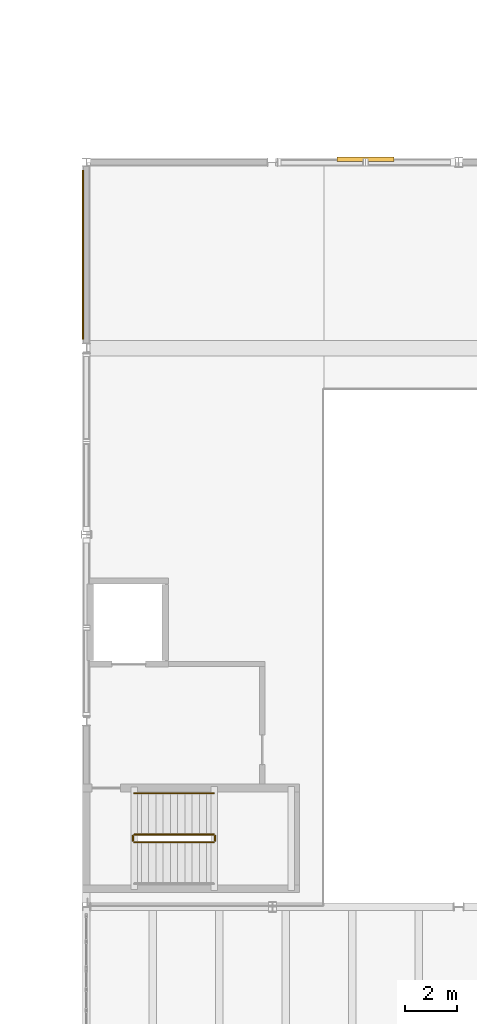
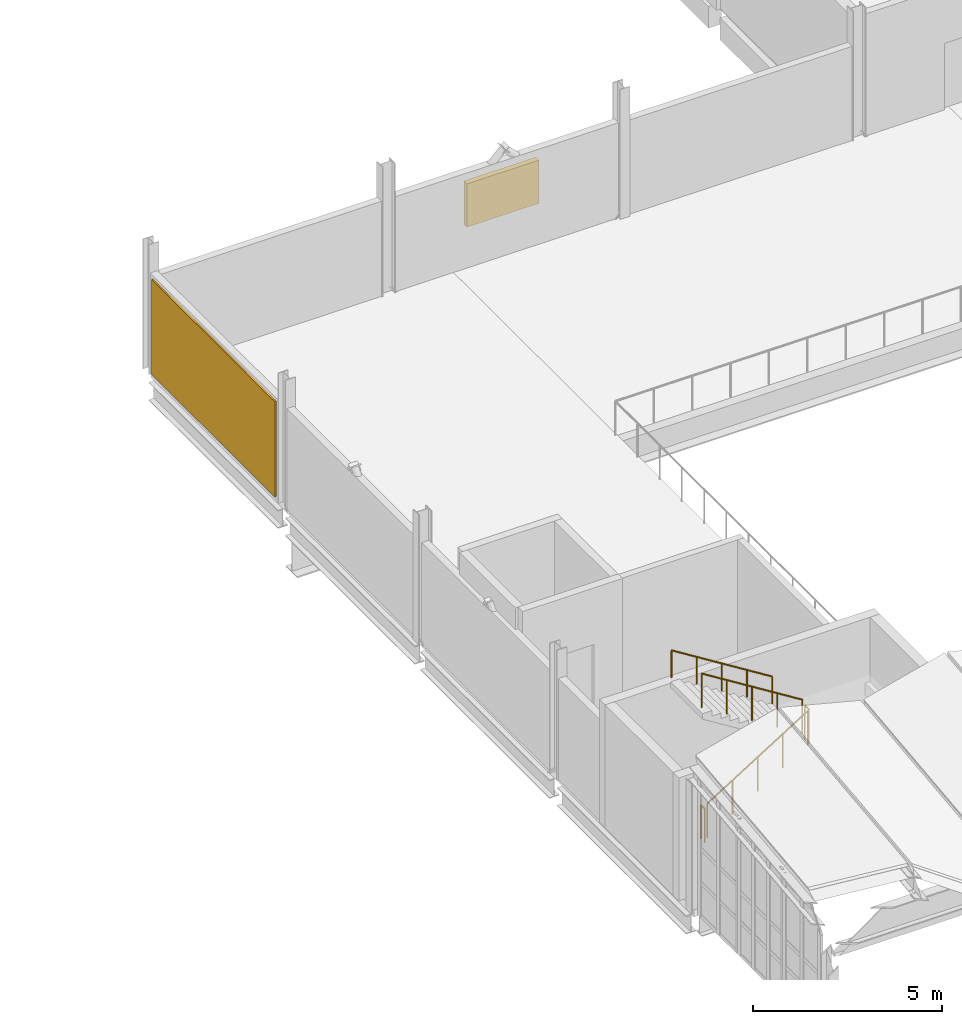
# One storey, part 45 of 48: 5 railings, 1 covering, 1 shading device.
"""IFC4 building model written with IfcOpenShell, lengths in metres."""

from ifc_helpers import new_model, si_unit, direction, frame, origin, origin_2d, place, context, subcontext, project, spatial, rectangle, circle, extrude, material, layer, layer_set, type_object, element, save


model = new_model("IFC4")

# Units and contexts
model_context = context("Model", 3, precision=1e-05, world=origin(), true_north=direction((0.0, 1.0)))
body_context = subcontext(model_context, "Body", "Model", "MODEL_VIEW")
ifc_project = project(units=[si_unit("LENGTHUNIT", "METRE"), si_unit("AREAUNIT", "SQUARE_METRE"), si_unit("VOLUMEUNIT", "CUBIC_METRE"), si_unit("PLANEANGLEUNIT", "RADIAN"), si_unit("MASSUNIT", "GRAM", prefix="KILO"), si_unit("THERMODYNAMICTEMPERATUREUNIT", "KELVIN"), si_unit("POWERUNIT", "WATT")], contexts=[model_context])

# Site, building, storey
site_placement = place(None, origin())
site = spatial("IfcSite", under=ifc_project, at=site_placement, CompositionType="ELEMENT")
building_placement = place(site_placement, origin())
building = spatial("IfcBuilding", under=site, at=building_placement, Name="Kaldorven Railside Theatre", CompositionType="ELEMENT")
storey_placement = place(building_placement, frame((0.0, 0.0, 18.89990234375)))
storey = spatial("IfcBuildingStorey", under=building, at=storey_placement, Name="L04", CompositionType="ELEMENT", Elevation=18.89990234375)

# Covering
ifc_material_1 = material(Name="Bush-hammered precast concrete C40/50", Category="concrete")
ifc_layer = layer(ifc_material_1, 0.050048828125, Name="Bush-hammered precast concrete C40/50")
ifc_layer_set = layer_set([ifc_layer], Name="Bush-hammered precast concrete C40/50")
covering_type = type_object("IfcCoveringType", Name="COV-CLD-01", PredefinedType="CLADDING", material=ifc_layer_set)
covering_placement = place(storey_placement, frame((87.069091796875, 109.219970703125, 0.10009765625), z_axis=(0.0, 0.0, 1.0), x_axis=(0.0, 1.0, 0.0)))
element("IfcCovering", 1, at=covering_placement, inside=storey, type_object=covering_type, Name="Bush-Hammered Laterite Rainscreen Panel CLD-041", PredefinedType="CLADDING", context=body_context, shape_type="SweptSolid", body=[
    extrude(rectangle(XDim=6.5400390625, YDim=0.050048828125, at=origin_2d()), origin(), (0.0, 0.0, 1.0), 3.074951171875),
])

# Railings
ifc_material_2 = material(Name="Steel S355", Category="steel")
railing_type_1 = type_object("IfcRailingType", Name="RLG-STG-1100", PredefinedType="BALUSTRADE", material=ifc_material_2)
railing_1_placement = place(storey_placement, frame((89.050048828125, 86.5, 0.175048828125)))
element("IfcRailing", 2, at=railing_1_placement, inside=storey, type_object=railing_type_1, Name="L04 ST-05 stair guard 1", PredefinedType="BALUSTRADE", context=body_context, shape_type="SweptSolid", body=[
    extrude(circle(Radius=0.02392578125, at=origin_2d()), frame((0.0, 0.0, 1.09619140625), z_axis=(0.847979421464, 0.0, 0.530029150871), x_axis=(0.0, 1.0, 0.0)), (0.0, 0.0, 1.0), 3.632080078125),
    extrude(circle(Radius=0.02099609375, at=origin_2d()), origin(), (0.0, 0.0, 1.0), 1.072021484375),
    extrude(circle(Radius=0.02099609375, at=origin_2d()), frame((0.77001953125, 0.0, 0.481201171875)), (0.0, 0.0, 1.0), 1.072021484375),
    extrude(circle(Radius=0.02099609375, at=origin_2d()), frame((1.5400390625, 0.0, 0.96240234375)), (0.0, 0.0, 1.0), 1.072021484375),
    extrude(circle(Radius=0.02099609375, at=origin_2d()), frame((2.309814453125, 0.0, 1.44384765625)), (0.0, 0.0, 1.0), 1.072021484375),
    extrude(circle(Radius=0.02099609375, at=origin_2d()), frame((3.079833984375, 0.0, 1.925048828125)), (0.0, 0.0, 1.0), 1.072021484375),
])
railing_2_placement = place(storey_placement, frame((92.179931640625, 86.550048828125, 2.10009765625)))
element("IfcRailing", 3, at=railing_2_placement, inside=storey, type_object=railing_type_1, Name="L04 ST-05 stair guard 2", PredefinedType="BALUSTRADE", context=body_context, shape_type="SweptSolid", body=[
    extrude(circle(Radius=0.02392578125, at=origin_2d()), frame((0.0, 0.0, 1.09619140625), z_axis=(0.0, 1.0, 0.0), x_axis=(-1.0, 0.0, 0.0)), (0.0, 0.0, 1.0), 0.199951171875),
    extrude(circle(Radius=0.02099609375, at=origin_2d()), origin(), (0.0, 0.0, 1.0), 1.072021484375),
    extrude(circle(Radius=0.02099609375, at=origin_2d()), frame((0.0, 0.199951171875, 0.0)), (0.0, 0.0, 1.0), 1.072021484375),
])
railing_3_placement = place(storey_placement, frame((92.1298828125, 86.800048828125, 2.275146484375)))
element("IfcRailing", 4, at=railing_3_placement, inside=storey, type_object=railing_type_1, Name="L04 ST-05 stair guard 3", PredefinedType="BALUSTRADE", context=body_context, shape_type="SweptSolid", body=[
    extrude(circle(Radius=0.02392578125, at=origin_2d()), frame((0.0, 0.0, 1.09619140625), z_axis=(-0.847979421464, 0.0, 0.530029150871), x_axis=(0.0, -1.0, 0.0)), (0.0, 0.0, 1.0), 3.632080078125),
    extrude(circle(Radius=0.02099609375, at=origin_2d()), origin(), (0.0, 0.0, 1.0), 1.072021484375),
    extrude(circle(Radius=0.02099609375, at=origin_2d()), frame((-0.77001953125, 0.0, 0.481201171875)), (0.0, 0.0, 1.0), 1.072021484375),
    extrude(circle(Radius=0.02099609375, at=origin_2d()), frame((-1.5400390625, 0.0, 0.96240234375)), (0.0, 0.0, 1.0), 1.072021484375),
    extrude(circle(Radius=0.02099609375, at=origin_2d()), frame((-2.309814453125, 0.0, 1.44384765625)), (0.0, 0.0, 1.0), 1.072021484375),
    extrude(circle(Radius=0.02099609375, at=origin_2d()), frame((-3.079833984375, 0.0, 1.925048828125)), (0.0, 0.0, 1.0), 1.072021484375),
])
railing_4_placement = place(storey_placement, frame((89.0, 86.550048828125, 0.0)))
element("IfcRailing", 5, at=railing_4_placement, inside=storey, type_object=railing_type_1, Name="L04 ST-05 stair guard 4", PredefinedType="BALUSTRADE", context=body_context, shape_type="SweptSolid", body=[
    extrude(circle(Radius=0.02392578125, at=origin_2d()), frame((0.0, 0.0, 1.09619140625), z_axis=(0.0, 1.0, 0.0), x_axis=(-1.0, 0.0, 0.0)), (0.0, 0.0, 1.0), 0.199951171875),
    extrude(circle(Radius=0.02099609375, at=origin_2d()), origin(), (0.0, 0.0, 1.0), 1.072021484375),
    extrude(circle(Radius=0.02099609375, at=origin_2d()), frame((0.0, 0.199951171875, 0.0)), (0.0, 0.0, 1.0), 1.072021484375),
])
railing_type_2 = type_object("IfcRailingType", Name="RLG-STH-900", PredefinedType="HANDRAIL", material=ifc_material_2)
railing_5_placement = place(storey_placement, frame((92.1298828125, 88.39990234375, 2.275146484375)))
element("IfcRailing", 6, at=railing_5_placement, inside=storey, type_object=railing_type_2, Name="L04 ST-05 stair handrail 2", PredefinedType="HANDRAIL", context=body_context, shape_type="SweptSolid", body=[
    extrude(circle(Radius=0.02392578125, at=origin_2d()), frame((0.0, 0.0, 0.8759765625), z_axis=(-0.847979421464, 0.0, 0.530029150871), x_axis=(0.0, -1.0, 0.0)), (0.0, 0.0, 1.0), 3.632080078125),
    extrude(circle(Radius=0.02099609375, at=origin_2d()), origin(), (0.0, 0.0, 1.0), 0.851806640625),
    extrude(circle(Radius=0.02099609375, at=origin_2d()), frame((-0.77001953125, 0.0, 0.481201171875)), (0.0, 0.0, 1.0), 0.851806640625),
    extrude(circle(Radius=0.02099609375, at=origin_2d()), frame((-1.5400390625, 0.0, 0.96240234375)), (0.0, 0.0, 1.0), 0.851806640625),
    extrude(circle(Radius=0.02099609375, at=origin_2d()), frame((-2.309814453125, 0.0, 1.44384765625)), (0.0, 0.0, 1.0), 0.851806640625),
    extrude(circle(Radius=0.02099609375, at=origin_2d()), frame((-3.079833984375, 0.0, 1.925048828125)), (0.0, 0.0, 1.0), 0.851806640625),
])

# Shading device
ifc_material_3 = material(Name="Anodised bronze aluminium", Category="aluminium")
shading_device_type = type_object("IfcShadingDeviceType", Name="SHD-LVR-01", PredefinedType="JALOUSIE", material=ifc_material_3)
shading_device_placement = place(storey_placement, frame((98.0, 112.919921875, 1.2001953125), z_axis=(0.0, 0.0, 1.0), x_axis=(1.0, 0.0, 0.0)))
element("IfcShadingDevice", 7, at=shading_device_placement, inside=storey, type_object=shading_device_type, Name="Acoustic Weather Louvre Bank LVR-02", PredefinedType="JALOUSIE", context=body_context, shape_type="SweptSolid", body=[
    extrude(rectangle(XDim=2.199951171875, YDim=0.159912109375, at=origin_2d()), origin(), (0.0, 0.0, 1.0), 1.39990234375),
])

save(model, "model.ifc")
